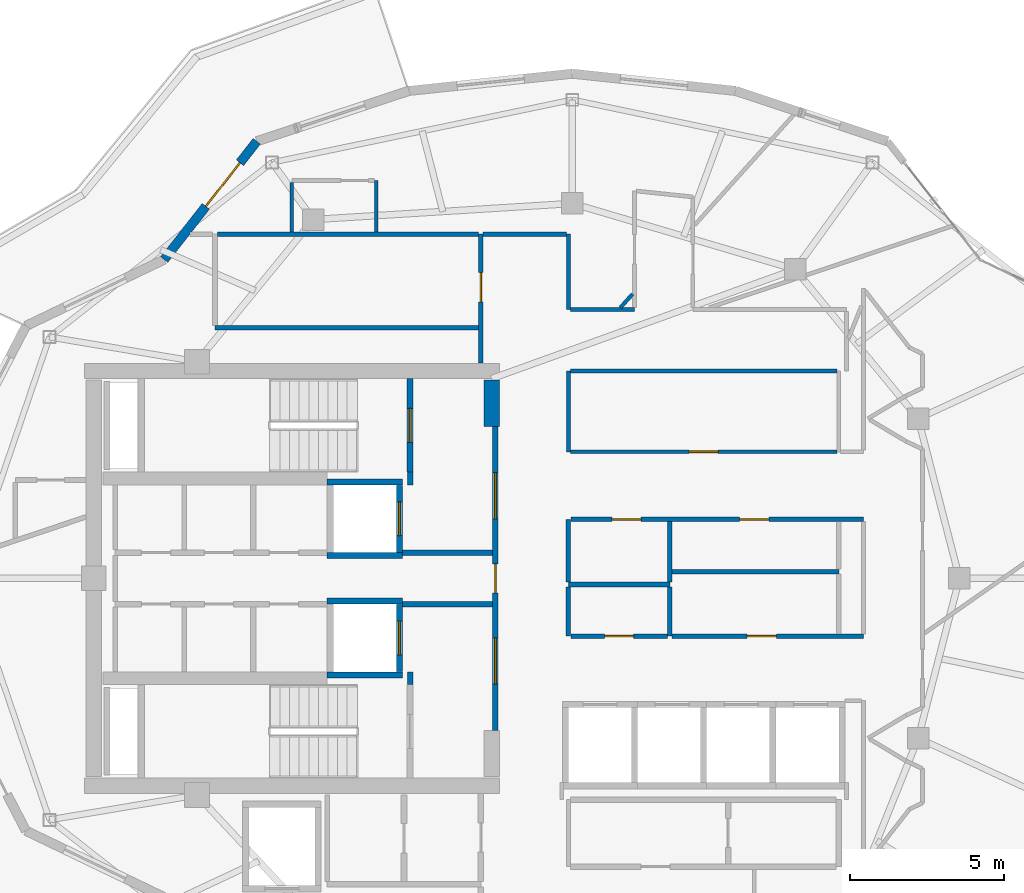
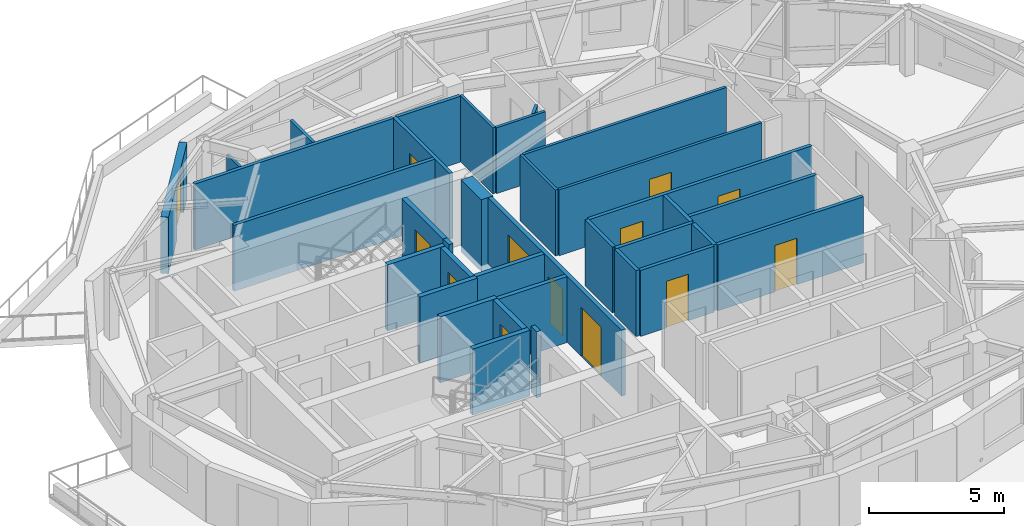
# One storey, part 9 of 15: 35 walls, 13 doors, 13 openings.
"""IFC4 building model written with IfcOpenShell, lengths in metres."""

from ifc_helpers import new_model, si_unit, direction, frame, frame_2d, origin, place, context, subcontext, project, spatial, rectangle, extrude, material, layer, layer_set, type_object, element, fill, save


model = new_model("IFC4")

# Units and contexts
model_context = context("Model", 3, precision=1e-05, world=origin(), true_north=direction((0.0, 1.0)))
body_context = subcontext(model_context, "Body", "Model", "MODEL_VIEW")
ifc_project = project(units=[si_unit("LENGTHUNIT", "METRE"), si_unit("AREAUNIT", "SQUARE_METRE"), si_unit("VOLUMEUNIT", "CUBIC_METRE"), si_unit("PLANEANGLEUNIT", "RADIAN"), si_unit("MASSUNIT", "GRAM", prefix="KILO")], contexts=[model_context])

# Site, building, storey
site_placement = place(None, origin())
site = spatial("IfcSite", under=ifc_project, at=site_placement, CompositionType="ELEMENT")
building_placement = place(site_placement, origin())
building = spatial("IfcBuilding", under=site, at=building_placement, Name="Kolvaren Gate Tower and Convention Centre", CompositionType="ELEMENT")
storey_placement = place(building_placement, frame((0.0, 0.0, 272.300048828125)))
storey = spatial("IfcBuildingStorey", under=building, at=storey_placement, Name="L74", CompositionType="ELEMENT", Elevation=272.300048828125)

# Walls
ifc_material_1 = material(Name="Autoclaved Aerated Masonry Blockwork Class 4 (4.0 MPa)", Category="masonry")
ifc_layer_1 = layer(ifc_material_1, 0.179931640625)
ifc_layer_set_1 = layer_set([ifc_layer_1], Name="Autoclaved Aerated Masonry Blockwork Class 4 (4.0 MPa)")
wall_type_1 = type_object("IfcWallType", Name="ARCH-WL-COMP-180", PredefinedType="SOLIDWALL", material=ifc_layer_set_1)
for number, where, z_axis, x_axis, name in (
    (1, (24.85009765625, 23.5400390625, 0.0), (0.0, 0.0, 1.0), (0.0, 1.0, 0.0), "Interior Partition WL-L74-INT-001"),
    (2, (24.85009765625, 30.0400390625, 0.0), (0.0, 0.0, 1.0), (0.0, 1.0, 0.0), "Interior Partition WL-L74-INT-002"),
):
    element("IfcWall", number, at=place(storey_placement, frame(where, z_axis=z_axis, x_axis=x_axis)), inside=storey, type_object=wall_type_1, Name=name, PredefinedType="SOLIDWALL", context=body_context, shape_type="SweptSolid", body=[
        extrude(rectangle(XDim=0.419921875, YDim=0.179931640625, at=frame_2d((0.2099609375, 0.0))), origin(), (0.0, 0.0, 1.0), 2.97998046875),
    ])

# Wall, openings, doors
wall_1_placement = place(storey_placement, frame((27.6201171875, 22.050048828125, 0.0), z_axis=(0.0, 0.0, 1.0), x_axis=(0.0, 1.0, 0.0)))
wall_1 = element("IfcWall", 3, at=wall_1_placement, inside=storey, type_object=wall_type_1, Name="Interior Partition WL-L74-INT-003", PredefinedType="SOLIDWALL", context=body_context, shape_type="SweptSolid", body=[
    extrude(rectangle(XDim=9.89990234375, YDim=0.179931640625, at=frame_2d((4.949951171875, 0.0))), origin(), (0.0, 0.0, 1.0), 2.97998046875),
])
opening_1_placement = place(wall_1_placement, frame((4.47509765625, 0.0, 0.0)))
opening_1 = element("IfcOpeningElement", 4, at=opening_1_placement, cuts=wall_1, Name="Opening DR-01", PredefinedType="OPENING", context=body_context, shape_type="SweptSolid", body=[
    extrude(rectangle(XDim=0.949951171875, YDim=2.10009765625, at=frame_2d((0.47509765625, 1.050048828125))), frame((0.0, 0.099853515625, 0.0), z_axis=(0.0, -1.0, 0.0), x_axis=(1.0, 0.0, 0.0)), (0.0, 0.0, 1.0), 0.199951171875),
])
opening_2_placement = place(wall_1_placement, frame((6.889892578125, 0.0, 0.0)))
opening_2 = element("IfcOpeningElement", 5, at=opening_2_placement, cuts=wall_1, Name="Opening DL-01", PredefinedType="OPENING", context=body_context, shape_type="SweptSolid", body=[
    extrude(rectangle(XDim=1.5, YDim=2.199951171875, at=frame_2d((0.75, 1.10009765625))), frame((0.0, 0.099853515625, 0.0), z_axis=(0.0, -1.0, 0.0), x_axis=(1.0, 0.0, 0.0)), (0.0, 0.0, 1.0), 0.199951171875),
])
opening_3_placement = place(wall_1_placement, frame((1.510009765625, 0.0, 0.0)))
opening_3 = element("IfcOpeningElement", 6, at=opening_3_placement, cuts=wall_1, Name="Opening DL-01", PredefinedType="OPENING", context=body_context, shape_type="SweptSolid", body=[
    extrude(rectangle(XDim=1.5, YDim=2.199951171875, at=frame_2d((0.75, 1.10009765625))), frame((0.0, 0.099853515625, 0.0), z_axis=(0.0, -1.0, 0.0), x_axis=(1.0, 0.0, 0.0)), (0.0, 0.0, 1.0), 0.199951171875),
])
ifc_material_2 = material(Name="Painted Architectural Steelwork ASTM A500 Grade C 345 MPa", Category="steel")
door_type_1 = type_object("IfcDoorType", Name="ARCH-DR-LOBBY-1500", OperationType="DOUBLE_DOOR_SINGLE_SWING", PredefinedType="DOOR", material=ifc_material_2)
door_1_placement = place(opening_2_placement, origin())
door_1 = element("IfcDoor", 7, at=door_1_placement, inside=storey, type_object=door_type_1, Name="North Firefighting Stair and Lift Lobby Door", OperationType="DOUBLE_DOOR_SINGLE_SWING", OverallHeight=2.199951171875, OverallWidth=1.5, PredefinedType="DOOR", context=body_context, shape_type="SweptSolid", body=[
    extrude(rectangle(XDim=1.5, YDim=2.199951171875, at=frame_2d((0.75, 1.10009765625))), frame((0.0, 0.02490234375, 0.0), z_axis=(0.0, -1.0, 0.0), x_axis=(1.0, 0.0, 0.0)), (0.0, 0.0, 1.0), 0.050048828125),
])
fill(opening_2, door_1)
door_2_placement = place(opening_3_placement, origin())
door_2 = element("IfcDoor", 8, at=door_2_placement, inside=storey, type_object=door_type_1, Name="South Firefighting Stair and Lift Lobby Door", OperationType="DOUBLE_DOOR_SINGLE_SWING", OverallHeight=2.199951171875, OverallWidth=1.5, PredefinedType="DOOR", context=body_context, shape_type="SweptSolid", body=[
    extrude(rectangle(XDim=1.5, YDim=2.199951171875, at=frame_2d((0.75, 1.10009765625))), frame((0.0, 0.02490234375, 0.0), z_axis=(0.0, -1.0, 0.0), x_axis=(1.0, 0.0, 0.0)), (0.0, 0.0, 1.0), 0.050048828125),
])
fill(opening_3, door_2)
door_type_2 = type_object("IfcDoorType", Name="ARCH-DR-RISER-950", OperationType="SINGLE_SWING_RIGHT", PredefinedType="DOOR", material=ifc_material_2)
door_3_placement = place(opening_1_placement, origin())
door_3 = element("IfcDoor", 9, at=door_3_placement, inside=storey, type_object=door_type_2, Name="Central MEP Service Corridor Door", OperationType="SINGLE_SWING_LEFT", OverallHeight=2.10009765625, OverallWidth=0.949951171875, PredefinedType="DOOR", context=body_context, shape_type="SweptSolid", body=[
    extrude(rectangle(XDim=0.949951171875, YDim=2.10009765625, at=frame_2d((0.47509765625, 1.050048828125))), frame((0.0, 0.02490234375, 0.0), z_axis=(0.0, -1.0, 0.0), x_axis=(1.0, 0.0, 0.0)), (0.0, 0.0, 1.0), 0.050048828125),
])
fill(opening_1, door_3)

# Walls
for number, where, z_axis, x_axis, name in (
    (10, (24.60009765625, 27.840087890625, 0.0), (0.0, 0.0, 1.0), (1.0, 0.0, 0.0), "Interior Partition WL-L74-INT-004 (2)"),
    (11, (24.60009765625, 26.159912109375, 0.0), (0.0, 0.0, 1.0), (1.0, 0.0, 0.0), "Interior Partition WL-L74-INT-005 (2)"),
):
    element("IfcWall", number, at=place(storey_placement, frame(where, z_axis=z_axis, x_axis=x_axis)), inside=storey, type_object=wall_type_1, Name=name, PredefinedType="SOLIDWALL", context=body_context, shape_type="SweptSolid", body=[
        extrude(rectangle(XDim=2.927978515625, YDim=0.179931640625, at=frame_2d((1.4638671875, 0.0))), origin(), (0.0, 0.0, 1.0), 2.97998046875),
    ])
ifc_material_3 = material(Name="Fire-Rated Acoustic Gypsum Stud Partition", Category="gypsum")
ifc_layer_2 = layer(ifc_material_3, 0.1201171875)
ifc_layer_set_2 = layer_set([ifc_layer_2], Name="Fire-Rated Acoustic Gypsum Stud Partition")
wall_type_2 = type_object("IfcWallType", Name="ARCH-WL-PART-120", PredefinedType="PARTITIONING", material=ifc_layer_set_2)
wall_2_placement = place(storey_placement, frame((30.0, 31.1201171875, 0.0), z_axis=(0.0, 0.0, 1.0), x_axis=(0.0, 1.0, 0.0)))
element("IfcWall", 12, at=wall_2_placement, inside=storey, type_object=wall_type_2, Name="Interior Partition WL-L74-INT-020", PredefinedType="PARTITIONING", context=body_context, shape_type="SweptSolid", body=[
    extrude(rectangle(XDim=2.6298828125, YDim=0.1201171875, at=frame_2d((1.31494140625, 0.0))), origin(), (0.0, 0.0, 1.0), 2.97998046875),
])
wall_3_placement = place(storey_placement, frame((30.0, 35.75, 0.0), z_axis=(0.0, 0.0, 1.0), x_axis=(0.0, 1.0, 0.0)))
element("IfcWall", 13, at=wall_3_placement, inside=storey, type_object=wall_type_2, Name="Interior Partition WL-L74-INT-021", PredefinedType="PARTITIONING", context=body_context, shape_type="SweptSolid", body=[
    extrude(rectangle(XDim=2.449951171875, YDim=0.1201171875, at=frame_2d((1.22509765625, 0.0))), origin(), (0.0, 0.0, 1.0), 2.97998046875),
])

# Wall, opening, door
wall_4_placement = place(storey_placement, frame((30.06201171875, 31.1201171875, 0.0), z_axis=(0.0, 0.0, 1.0), x_axis=(1.0, 0.0, 0.0)))
wall_4 = element("IfcWall", 14, at=wall_4_placement, inside=storey, type_object=wall_type_2, Name="Interior Partition WL-L74-INT-029", PredefinedType="PARTITIONING", context=body_context, shape_type="SweptSolid", body=[
    extrude(rectangle(XDim=8.676025390625, YDim=0.1201171875, at=frame_2d((4.337890625, 0.0))), origin(), (0.0, 0.0, 1.0), 2.97998046875),
])
opening_4_placement = place(wall_4_placement, frame((3.863037109375, 0.0, 0.0)))
opening_4 = element("IfcOpeningElement", 15, at=opening_4_placement, cuts=wall_4, Name="Opening DR-01", PredefinedType="OPENING", context=body_context, shape_type="SweptSolid", body=[
    extrude(rectangle(XDim=0.949951171875, YDim=2.10009765625, at=frame_2d((0.47509765625, 1.050048828125))), frame((0.0, 0.070068359375, 0.0), z_axis=(0.0, -1.0, 0.0), x_axis=(1.0, 0.0, 0.0)), (0.0, 0.0, 1.0), 0.14013671875),
])
door_4_placement = place(opening_4_placement, origin())
door_4 = element("IfcDoor", 16, at=door_4_placement, inside=storey, type_object=door_type_2, Name="Botanical Reading Clubroom Door", OperationType="SINGLE_SWING_LEFT", OverallHeight=2.10009765625, OverallWidth=0.949951171875, PredefinedType="DOOR", context=body_context, shape_type="SweptSolid", body=[
    extrude(rectangle(XDim=0.949951171875, YDim=2.10009765625, at=frame_2d((0.47509765625, 1.050048828125))), frame((0.0, 0.02490234375, 0.0), z_axis=(0.0, -1.0, 0.0), x_axis=(1.0, 0.0, 0.0)), (0.0, 0.0, 1.0), 0.050048828125),
])
fill(opening_4, door_4)

# Walls
wall_5_placement = place(storey_placement, frame((30.06201171875, 33.75, 0.0), z_axis=(0.0, 0.0, 1.0), x_axis=(1.0, 0.0, 0.0)))
element("IfcWall", 17, at=wall_5_placement, inside=storey, type_object=wall_type_2, Name="Interior Partition WL-L74-INT-030", PredefinedType="PARTITIONING", context=body_context, shape_type="SweptSolid", body=[
    extrude(rectangle(XDim=8.676025390625, YDim=0.1201171875, at=frame_2d((4.337890625, 0.0))), origin(), (0.0, 0.0, 1.0), 2.97998046875),
])
wall_6_placement = place(storey_placement, frame((30.06201171875, 35.75, 0.0), z_axis=(0.0, 0.0, 1.0), x_axis=(1.0, 0.0, 0.0)))
element("IfcWall", 18, at=wall_6_placement, inside=storey, type_object=wall_type_2, Name="Interior Partition WL-L74-INT-037", PredefinedType="PARTITIONING", context=body_context, shape_type="SweptSolid", body=[
    extrude(rectangle(XDim=2.087890625, YDim=0.1201171875, at=frame_2d((1.0439453125, 0.0))), origin(), (0.0, 0.0, 1.0), 2.97998046875),
])
wall_7_placement = place(storey_placement, frame((31.69140625, 35.81201171875, 0.0), z_axis=(0.0, 0.0, 1.0), x_axis=(0.668646206607, 0.743580695278, 0.0)))
element("IfcWall", 19, at=wall_7_placement, inside=storey, type_object=wall_type_2, Name="Interior Partition WL-L74-INT-081", PredefinedType="PARTITIONING", context=body_context, shape_type="SweptSolid", body=[
    extrude(rectangle(XDim=0.593017578125, YDim=0.1201171875, at=frame_2d((0.29638671875, 0.0))), origin(), (0.0, 0.0, 1.0), 2.97998046875),
])
wall_8_placement = place(storey_placement, frame((23.75, 38.277099609375, 0.0), z_axis=(0.0, 0.0, 1.0), x_axis=(0.0, 1.0, 0.0)))
element("IfcWall", 20, at=wall_8_placement, inside=storey, type_object=wall_type_2, Name="Interior Partition WL-L74-INT-083", PredefinedType="PARTITIONING", context=body_context, shape_type="SweptSolid", body=[
    extrude(rectangle(XDim=1.6728515625, YDim=0.1201171875, at=frame_2d((0.83642578125, 0.0))), origin(), (0.0, 0.0, 1.0), 2.97998046875),
])
wall_9_placement = place(storey_placement, frame((21.0, 38.277099609375, 0.0), z_axis=(0.0, 0.0, 1.0), x_axis=(0.0, 1.0, 0.0)))
element("IfcWall", 21, at=wall_9_placement, inside=storey, type_object=wall_type_2, Name="Interior Partition WL-L74-INT-085", PredefinedType="PARTITIONING", context=body_context, shape_type="SweptSolid", body=[
    extrude(rectangle(XDim=1.61083984375, YDim=0.1201171875, at=frame_2d((0.805419921875, 0.0))), origin(), (0.0, 0.0, 1.0), 2.427978515625),
])
ifc_layer_3 = layer(ifc_material_1, 0.199951171875)
ifc_layer_set_3 = layer_set([ifc_layer_3], Name="Autoclaved Aerated Masonry Blockwork Class 4 (4.0 MPa)")
wall_type_3 = type_object("IfcWallType", Name="ARCH-WL-SHAFT-200", PredefinedType="SOLIDWALL", material=ifc_layer_set_3)
for number, where, z_axis, x_axis, name in (
    (22, (22.14990234375, 30.139892578125, 0.0), (0.0, 0.0, 1.0), (1.0, 0.0, 0.0), "Elevator FF-01 L74 Fire Shaft Wall N"),
    (23, (22.14990234375, 27.739990234375, 0.0), (0.0, 0.0, 1.0), (1.0, 0.0, 0.0), "Elevator FF-01 L74 Fire Shaft Wall S"),
):
    element("IfcWall", number, at=place(storey_placement, frame(where, z_axis=z_axis, x_axis=x_axis)), inside=storey, type_object=wall_type_3, Name=name, PredefinedType="SOLIDWALL", context=body_context, shape_type="SweptSolid", body=[
        extrude(rectangle(XDim=2.4501953125, YDim=0.199951171875, at=frame_2d((1.22509765625, 0.0))), origin(), (0.0, 0.0, 1.0), 2.97998046875),
    ])

# Wall, opening, door
wall_10_placement = place(storey_placement, frame((24.5, 27.85009765625, 0.0), z_axis=(0.0, 0.0, 1.0), x_axis=(0.0, 1.0, 0.0)))
wall_10 = element("IfcWall", 24, at=wall_10_placement, inside=storey, type_object=wall_type_3, Name="Elevator FF-01 L74 Fire Shaft Wall E", PredefinedType="SOLIDWALL", context=body_context, shape_type="SweptSolid", body=[
    extrude(rectangle(XDim=2.179931640625, YDim=0.199951171875, at=frame_2d((1.08984375, 0.0))), origin(), (0.0, 0.0, 1.0), 2.97998046875),
])
opening_5_placement = place(wall_10_placement, frame((0.5400390625, 0.0, 0.0)))
opening_5 = element("IfcOpeningElement", 25, at=opening_5_placement, cuts=wall_10, Name="Opening LD", PredefinedType="OPENING", context=body_context, shape_type="SweptSolid", body=[
    extrude(rectangle(XDim=1.10009765625, YDim=2.199951171875, at=frame_2d((0.550048828125, 1.10009765625))), frame((0.0, 0.10986328125, 0.0), z_axis=(0.0, -1.0, 0.0), x_axis=(1.0, 0.0, 0.0)), (0.0, 0.0, 1.0), 0.219970703125),
])
ifc_material_4 = material(Name="Brushed Stainless Steel Grade 316L", Category="steel")
door_type_3 = type_object("IfcDoorType", Name="ARCH-DR-LIFT-1100", OperationType="SLIDING_TO_LEFT", PredefinedType="DOOR", material=ifc_material_4)
door_5_placement = place(opening_5_placement, origin())
door_5 = element("IfcDoor", 26, at=door_5_placement, inside=storey, type_object=door_type_3, Name="Elevator FF-01 L74 Sliding Landing Door", OperationType="SLIDING_TO_LEFT", OverallHeight=2.199951171875, OverallWidth=1.10009765625, PredefinedType="DOOR", context=body_context, shape_type="SweptSolid", body=[
    extrude(rectangle(XDim=1.10009765625, YDim=2.199951171875, at=frame_2d((0.550048828125, 1.10009765625))), frame((0.0, 0.02490234375, 0.0), z_axis=(0.0, -1.0, 0.0), x_axis=(1.0, 0.0, 0.0)), (0.0, 0.0, 1.0), 0.050048828125),
])
fill(opening_5, door_5)

# Walls
for number, where, z_axis, x_axis, name in (
    (27, (22.14990234375, 26.260009765625, 0.0), (0.0, 0.0, 1.0), (1.0, 0.0, 0.0), "Elevator FF-02 L74 Fire Shaft Wall N"),
    (28, (22.14990234375, 23.860107421875, 0.0), (0.0, 0.0, 1.0), (1.0, 0.0, 0.0), "Elevator FF-02 L74 Fire Shaft Wall S"),
):
    element("IfcWall", number, at=place(storey_placement, frame(where, z_axis=z_axis, x_axis=x_axis)), inside=storey, type_object=wall_type_3, Name=name, PredefinedType="SOLIDWALL", context=body_context, shape_type="SweptSolid", body=[
        extrude(rectangle(XDim=2.4501953125, YDim=0.199951171875, at=frame_2d((1.22509765625, 0.0))), origin(), (0.0, 0.0, 1.0), 2.97998046875),
    ])

# Wall, opening, door
wall_11_placement = place(storey_placement, frame((24.5, 23.969970703125, 0.0), z_axis=(0.0, 0.0, 1.0), x_axis=(0.0, 1.0, 0.0)))
wall_11 = element("IfcWall", 29, at=wall_11_placement, inside=storey, type_object=wall_type_3, Name="Elevator FF-02 L74 Fire Shaft Wall E", PredefinedType="SOLIDWALL", context=body_context, shape_type="SweptSolid", body=[
    extrude(rectangle(XDim=2.179931640625, YDim=0.199951171875, at=frame_2d((1.08984375, 0.0))), origin(), (0.0, 0.0, 1.0), 2.97998046875),
])
opening_6_placement = place(wall_11_placement, frame((0.5400390625, 0.0, 0.0)))
opening_6 = element("IfcOpeningElement", 30, at=opening_6_placement, cuts=wall_11, Name="Opening LD", PredefinedType="OPENING", context=body_context, shape_type="SweptSolid", body=[
    extrude(rectangle(XDim=1.10009765625, YDim=2.199951171875, at=frame_2d((0.550048828125, 1.10009765625))), frame((0.0, 0.10986328125, 0.0), z_axis=(0.0, -1.0, 0.0), x_axis=(1.0, 0.0, 0.0)), (0.0, 0.0, 1.0), 0.219970703125),
])
door_6_placement = place(opening_6_placement, origin())
door_6 = element("IfcDoor", 31, at=door_6_placement, inside=storey, type_object=door_type_3, Name="Elevator FF-02 L74 Sliding Landing Door", OperationType="SLIDING_TO_LEFT", OverallHeight=2.199951171875, OverallWidth=1.10009765625, PredefinedType="DOOR", context=body_context, shape_type="SweptSolid", body=[
    extrude(rectangle(XDim=1.10009765625, YDim=2.199951171875, at=frame_2d((0.550048828125, 1.10009765625))), frame((0.0, 0.02490234375, 0.0), z_axis=(0.0, -1.0, 0.0), x_axis=(1.0, 0.0, 0.0)), (0.0, 0.0, 1.0), 0.050048828125),
])
fill(opening_6, door_6)

ifc_material_5 = material(Name="Piedmont Cream Honed Limestone Cladding", Category="masonry")
ifc_layer_4 = layer(ifc_material_5, 0.300048828125)
ifc_layer_set_4 = layer_set([ifc_layer_4], Name="Piedmont Cream Honed Limestone Cladding")
wall_type_4 = type_object("IfcWallType", Name="ARCH-WL-STONE-300", PredefinedType="SOLIDWALL", material=ifc_layer_set_4)
wall_12_placement = place(storey_placement, frame((16.84619140625, 37.37548828125, 0.0), z_axis=(0.0, 0.0, 1.0), x_axis=(0.616413297421, 0.78742278781, 0.0)))
wall_12 = element("IfcWall", 32, at=wall_12_placement, inside=storey, type_object=wall_type_4, Name="Tower L74 Honed Stone Spandrel Wall EW-08", PredefinedType="SOLIDWALL", context=body_context, shape_type="SweptSolid", body=[
    extrude(rectangle(XDim=4.88818359375, YDim=0.300048828125, at=frame_2d((2.444091796875, 0.0))), origin(), (0.0, 0.0, 1.0), 2.554931640625),
])
opening_7_placement = place(wall_12_placement, frame((2.199951171875, 0.0, 0.0)))
opening_7 = element("IfcOpeningElement", 33, at=opening_7_placement, cuts=wall_12, Name="Opening DB-01", PredefinedType="OPENING", context=body_context, shape_type="SweptSolid", body=[
    extrude(rectangle(XDim=1.800048828125, YDim=2.25, at=frame_2d((0.89990234375, 1.125))), frame((0.0, 0.159912109375, 0.0), z_axis=(0.0, -1.0, 0.0), x_axis=(1.0, 0.0, 0.0)), (0.0, 0.0, 1.0), 0.320068359375),
])
ifc_material_6 = material(Name="Anodized Architectural Aluminium Alloy 6063-T6", Category="aluminium")
door_type_4 = type_object("IfcDoorType", Name="ARCH-DR-BALC-1800", OperationType="SLIDING_TO_LEFT", PredefinedType="DOOR", material=ifc_material_6)
door_7_placement = place(opening_7_placement, origin())
door_7 = element("IfcDoor", 34, at=door_7_placement, inside=storey, type_object=door_type_4, Name="Planted Sky Terrace Access Door DB-L74-08", OperationType="SLIDING_TO_LEFT", OverallHeight=2.25, OverallWidth=1.800048828125, PredefinedType="DOOR", context=body_context, shape_type="SweptSolid", body=[
    extrude(rectangle(XDim=1.800048828125, YDim=2.25, at=frame_2d((0.89990234375, 1.125))), frame((0.0, 0.02490234375, 0.0), z_axis=(0.0, -1.0, 0.0), x_axis=(1.0, 0.0, 0.0)), (0.0, 0.0, 1.0), 0.050048828125),
])
fill(opening_7, door_7)

ifc_material_7 = material(Name="Moisture-Resistant Cement-Board Acoustic Partition", Category="gypsum")
ifc_layer_5 = layer(ifc_material_7, 0.14990234375)
ifc_layer_set_5 = layer_set([ifc_layer_5], Name="Moisture-Resistant Cement-Board Acoustic Partition")
wall_type_5 = type_object("IfcWallType", Name="ARCH-WL-WET-150", PredefinedType="PARTITIONING", material=ifc_layer_set_5)
wall_13_placement = place(storey_placement, frame((27.14990234375, 34.001953125, 0.0), z_axis=(0.0, 0.0, 1.0), x_axis=(0.0, 1.0, 0.0)))
wall_13 = element("IfcWall", 35, at=wall_13_placement, inside=storey, type_object=wall_type_5, Name="Interior Partition WL-L74-INT-016", PredefinedType="PARTITIONING", context=body_context, shape_type="SweptSolid", body=[
    extrude(rectangle(XDim=4.197998046875, YDim=0.14990234375, at=frame_2d((2.09912109375, 0.0))), origin(), (0.0, 0.0, 1.0), 2.97998046875),
])
opening_8_placement = place(wall_13_placement, frame((1.998046875, 0.0, 0.0)))
opening_8 = element("IfcOpeningElement", 36, at=opening_8_placement, cuts=wall_13, Name="Opening DR-01", PredefinedType="OPENING", context=body_context, shape_type="SweptSolid", body=[
    extrude(rectangle(XDim=0.949951171875, YDim=2.10009765625, at=frame_2d((0.47509765625, 1.050048828125))), frame((0.0, 0.0849609375, 0.0), z_axis=(0.0, -1.0, 0.0), x_axis=(1.0, 0.0, 0.0)), (0.0, 0.0, 1.0), 0.169921875),
])
door_8_placement = place(opening_8_placement, origin())
door_8 = element("IfcDoor", 37, at=door_8_placement, inside=storey, type_object=door_type_2, Name="Reclaimed North Resident Store Door", OperationType="SINGLE_SWING_LEFT", OverallHeight=2.10009765625, OverallWidth=0.949951171875, PredefinedType="DOOR", context=body_context, shape_type="SweptSolid", body=[
    extrude(rectangle(XDim=0.949951171875, YDim=2.10009765625, at=frame_2d((0.47509765625, 1.050048828125))), frame((0.0, 0.02490234375, 0.0), z_axis=(0.0, -1.0, 0.0), x_axis=(1.0, 0.0, 0.0)), (0.0, 0.0, 1.0), 0.050048828125),
])
fill(opening_8, door_8)

# Walls
wall_14_placement = place(storey_placement, frame((30.0, 26.800048828125, 0.0), z_axis=(0.0, 0.0, 1.0), x_axis=(1.0, 0.0, 0.0)))
element("IfcWall", 38, at=wall_14_placement, inside=storey, type_object=wall_type_5, Name="Interior Partition WL-L74-INT-017", PredefinedType="PARTITIONING", context=body_context, shape_type="SweptSolid", body=[
    extrude(rectangle(XDim=3.300048828125, YDim=0.14990234375, at=frame_2d((1.64990234375, 0.0))), origin(), (0.0, 0.0, 1.0), 2.97998046875),
])
wall_15_placement = place(storey_placement, frame((30.0, 25.1201171875, 0.0), z_axis=(0.0, 0.0, 1.0), x_axis=(0.0, 1.0, 0.0)))
element("IfcWall", 39, at=wall_15_placement, inside=storey, type_object=wall_type_5, Name="Interior Partition WL-L74-INT-019", PredefinedType="PARTITIONING", context=body_context, shape_type="SweptSolid", body=[
    extrude(rectangle(XDim=1.602783203125, YDim=0.14990234375, at=frame_2d((0.80126953125, 0.0))), origin(), (0.0, 0.0, 1.0), 2.97998046875),
])
wall_16_placement = place(storey_placement, frame((30.0, 26.876953125, 0.0), z_axis=(0.0, 0.0, 1.0), x_axis=(0.0, 1.0, 0.0)))
element("IfcWall", 40, at=wall_16_placement, inside=storey, type_object=wall_type_5, Name="Interior Partition WL-L74-INT-019 (2)", PredefinedType="PARTITIONING", context=body_context, shape_type="SweptSolid", body=[
    extrude(rectangle(XDim=2.04296875, YDim=0.14990234375, at=frame_2d((1.021484375, 0.0))), origin(), (0.0, 0.0, 1.0), 2.97998046875),
])

# Wall, openings, doors
wall_17_placement = place(storey_placement, frame((30.076904296875, 28.919921875, 0.0), z_axis=(0.0, 0.0, 1.0), x_axis=(1.0, 0.0, 0.0)))
wall_17 = element("IfcWall", 41, at=wall_17_placement, inside=storey, type_object=wall_type_5, Name="Interior Partition WL-L74-INT-022", PredefinedType="PARTITIONING", context=body_context, shape_type="SweptSolid", body=[
    extrude(rectangle(XDim=9.523193359375, YDim=0.14990234375, at=frame_2d((4.76171875, 0.0))), origin(), (0.0, 0.0, 1.0), 2.97998046875),
])
opening_9_placement = place(wall_17_placement, frame((1.341552734375, 0.0, 0.0)))
opening_9 = element("IfcOpeningElement", 42, at=opening_9_placement, cuts=wall_17, Name="Opening DR-01", PredefinedType="OPENING", context=body_context, shape_type="SweptSolid", body=[
    extrude(rectangle(XDim=0.949951171875, YDim=2.10009765625, at=frame_2d((0.47509765625, 1.050048828125))), frame((0.0, 0.0849609375, 0.0), z_axis=(0.0, -1.0, 0.0), x_axis=(1.0, 0.0, 0.0)), (0.0, 0.0, 1.0), 0.169921875),
])
opening_10_placement = place(wall_17_placement, frame((5.498046875, 0.0, 0.0)))
opening_10 = element("IfcOpeningElement", 43, at=opening_10_placement, cuts=wall_17, Name="Opening DR-01", PredefinedType="OPENING", context=body_context, shape_type="SweptSolid", body=[
    extrude(rectangle(XDim=0.949951171875, YDim=2.10009765625, at=frame_2d((0.47509765625, 1.050048828125))), frame((0.0, 0.0849609375, 0.0), z_axis=(0.0, -1.0, 0.0), x_axis=(1.0, 0.0, 0.0)), (0.0, 0.0, 1.0), 0.169921875),
])
door_9_placement = place(opening_9_placement, origin())
door_9 = element("IfcDoor", 44, at=door_9_placement, inside=storey, type_object=door_type_2, Name="Accessible North Washroom Door", OperationType="SINGLE_SWING_LEFT", OverallHeight=2.10009765625, OverallWidth=0.949951171875, PredefinedType="DOOR", context=body_context, shape_type="SweptSolid", body=[
    extrude(rectangle(XDim=0.949951171875, YDim=2.10009765625, at=frame_2d((0.47509765625, 1.050048828125))), frame((0.0, 0.02490234375, 0.0), z_axis=(0.0, -1.0, 0.0), x_axis=(1.0, 0.0, 0.0)), (0.0, 0.0, 1.0), 0.050048828125),
])
fill(opening_9, door_9)
door_10_placement = place(opening_10_placement, origin())
door_10 = element("IfcDoor", 45, at=door_10_placement, inside=storey, type_object=door_type_2, Name="Floor Janitor and Supply Store Door", OperationType="SINGLE_SWING_LEFT", OverallHeight=2.10009765625, OverallWidth=0.949951171875, PredefinedType="DOOR", context=body_context, shape_type="SweptSolid", body=[
    extrude(rectangle(XDim=0.949951171875, YDim=2.10009765625, at=frame_2d((0.47509765625, 1.050048828125))), frame((0.0, 0.02490234375, 0.0), z_axis=(0.0, -1.0, 0.0), x_axis=(1.0, 0.0, 0.0)), (0.0, 0.0, 1.0), 0.050048828125),
])
fill(opening_10, door_10)

# Walls
wall_18_placement = place(storey_placement, frame((33.300048828125, 25.1201171875, 0.0), z_axis=(0.0, 0.0, 1.0), x_axis=(0.0, 1.0, 0.0)))
element("IfcWall", 46, at=wall_18_placement, inside=storey, type_object=wall_type_5, Name="Interior Partition WL-L74-INT-023", PredefinedType="PARTITIONING", context=body_context, shape_type="SweptSolid", body=[
    extrude(rectangle(XDim=1.602783203125, YDim=0.14990234375, at=frame_2d((0.80126953125, 0.0))), origin(), (0.0, 0.0, 1.0), 2.97998046875),
])
wall_19_placement = place(storey_placement, frame((33.300048828125, 26.876953125, 0.0), z_axis=(0.0, 0.0, 1.0), x_axis=(0.0, 1.0, 0.0)))
element("IfcWall", 47, at=wall_19_placement, inside=storey, type_object=wall_type_5, Name="Interior Partition WL-L74-INT-023 (2)", PredefinedType="PARTITIONING", context=body_context, shape_type="SweptSolid", body=[
    extrude(rectangle(XDim=1.966064453125, YDim=0.14990234375, at=frame_2d((0.98291015625, 0.0))), origin(), (0.0, 0.0, 1.0), 2.97998046875),
])

# Wall, opening, door
wall_20_placement = place(storey_placement, frame((30.076904296875, 25.1201171875, 0.0), z_axis=(0.0, 0.0, 1.0), x_axis=(1.0, 0.0, 0.0)))
wall_20 = element("IfcWall", 48, at=wall_20_placement, inside=storey, type_object=wall_type_5, Name="Interior Partition WL-L74-INT-024", PredefinedType="PARTITIONING", context=body_context, shape_type="SweptSolid", body=[
    extrude(rectangle(XDim=3.14599609375, YDim=0.14990234375, at=frame_2d((1.572998046875, 0.0))), origin(), (0.0, 0.0, 1.0), 2.97998046875),
])
opening_11_placement = place(wall_20_placement, frame((1.097900390625, 0.0, 0.0)))
opening_11 = element("IfcOpeningElement", 49, at=opening_11_placement, cuts=wall_20, Name="Opening DR-01", PredefinedType="OPENING", context=body_context, shape_type="SweptSolid", body=[
    extrude(rectangle(XDim=0.949951171875, YDim=2.10009765625, at=frame_2d((0.47509765625, 1.050048828125))), frame((0.0, 0.0849609375, 0.0), z_axis=(0.0, -1.0, 0.0), x_axis=(1.0, 0.0, 0.0)), (0.0, 0.0, 1.0), 0.169921875),
])
door_11_placement = place(opening_11_placement, origin())
door_11 = element("IfcDoor", 50, at=door_11_placement, inside=storey, type_object=door_type_2, Name="South Visitor Washroom Door", OperationType="SINGLE_SWING_RIGHT", OverallHeight=2.10009765625, OverallWidth=0.949951171875, PredefinedType="DOOR", context=body_context, shape_type="SweptSolid", body=[
    extrude(rectangle(XDim=0.949951171875, YDim=2.10009765625, at=frame_2d((0.47509765625, 1.050048828125))), frame((0.0, 0.02490234375, 0.0), z_axis=(0.0, -1.0, 0.0), x_axis=(1.0, 0.0, 0.0)), (0.0, 0.0, 1.0), 0.050048828125),
])
fill(opening_11, door_11)

wall_21_placement = place(storey_placement, frame((33.376953125, 25.1201171875, 0.0), z_axis=(0.0, 0.0, 1.0), x_axis=(1.0, 0.0, 0.0)))
wall_21 = element("IfcWall", 51, at=wall_21_placement, inside=storey, type_object=wall_type_5, Name="Interior Partition WL-L74-INT-024 (2)", PredefinedType="PARTITIONING", context=body_context, shape_type="SweptSolid", body=[
    extrude(rectangle(XDim=6.22314453125, YDim=0.14990234375, at=frame_2d((3.111572265625, 0.0))), origin(), (0.0, 0.0, 1.0), 2.97998046875),
])
opening_12_placement = place(wall_21_placement, frame((2.44140625, 0.0, 0.0)))
opening_12 = element("IfcOpeningElement", 52, at=opening_12_placement, cuts=wall_21, Name="Opening DR-01", PredefinedType="OPENING", context=body_context, shape_type="SweptSolid", body=[
    extrude(rectangle(XDim=0.949951171875, YDim=2.10009765625, at=frame_2d((0.47509765625, 1.050048828125))), frame((0.0, 0.0849609375, 0.0), z_axis=(0.0, -1.0, 0.0), x_axis=(1.0, 0.0, 0.0)), (0.0, 0.0, 1.0), 0.169921875),
])
door_12_placement = place(opening_12_placement, origin())
door_12 = element("IfcDoor", 53, at=door_12_placement, inside=storey, type_object=door_type_2, Name="Floor Coffee Pantry Door", OperationType="SINGLE_SWING_RIGHT", OverallHeight=2.10009765625, OverallWidth=0.949951171875, PredefinedType="DOOR", context=body_context, shape_type="SweptSolid", body=[
    extrude(rectangle(XDim=0.949951171875, YDim=2.10009765625, at=frame_2d((0.47509765625, 1.050048828125))), frame((0.0, 0.02490234375, 0.0), z_axis=(0.0, -1.0, 0.0), x_axis=(1.0, 0.0, 0.0)), (0.0, 0.0, 1.0), 0.050048828125),
])
fill(opening_12, door_12)

# Walls
wall_22_placement = place(storey_placement, frame((33.376953125, 27.219970703125, 0.0), z_axis=(0.0, 0.0, 1.0), x_axis=(1.0, 0.0, 0.0)))
element("IfcWall", 54, at=wall_22_placement, inside=storey, type_object=wall_type_5, Name="Interior Partition WL-L74-INT-025", PredefinedType="PARTITIONING", context=body_context, shape_type="SweptSolid", body=[
    extrude(rectangle(XDim=5.423095703125, YDim=0.14990234375, at=frame_2d((2.71142578125, 0.0))), origin(), (0.0, 0.0, 1.0), 2.97998046875),
])
wall_23_placement = place(storey_placement, frame((18.5, 35.159912109375, 0.0), z_axis=(0.0, 0.0, 1.0), x_axis=(1.0, 0.0, 0.0)))
element("IfcWall", 55, at=wall_23_placement, inside=storey, type_object=wall_type_5, Name="Interior Partition WL-L74-INT-034", PredefinedType="PARTITIONING", context=body_context, shape_type="SweptSolid", body=[
    extrude(rectangle(XDim=8.572998046875, YDim=0.14990234375, at=frame_2d((4.28662109375, 0.0))), origin(), (0.0, 0.0, 1.0), 2.97998046875),
])
wall_24_placement = place(storey_placement, frame((18.576904296875, 38.199951171875, 0.0), z_axis=(0.0, 0.0, 1.0), x_axis=(1.0, 0.0, 0.0)))
element("IfcWall", 56, at=wall_24_placement, inside=storey, type_object=wall_type_5, Name="Interior Partition WL-L74-INT-036 (2)", PredefinedType="PARTITIONING", context=body_context, shape_type="SweptSolid", body=[
    extrude(rectangle(XDim=8.49609375, YDim=0.14990234375, at=frame_2d((4.248046875, 0.0))), origin(), (0.0, 0.0, 1.0), 2.97998046875),
])
wall_25_placement = place(storey_placement, frame((27.22705078125, 38.199951171875, 0.0), z_axis=(0.0, 0.0, 1.0), x_axis=(1.0, 0.0, 0.0)))
element("IfcWall", 57, at=wall_25_placement, inside=storey, type_object=wall_type_5, Name="Interior Partition WL-L74-INT-036 (3)", PredefinedType="PARTITIONING", context=body_context, shape_type="SweptSolid", body=[
    extrude(rectangle(XDim=2.7109375, YDim=0.14990234375, at=frame_2d((1.35546875, 0.0))), origin(), (0.0, 0.0, 1.0), 2.97998046875),
])
ifc_material_8 = material(Name="Concrete C50/60", Category="concrete")
ifc_layer_6 = layer(ifc_material_8, 0.5)
ifc_layer_set_6 = layer_set([ifc_layer_6], Name="Concrete C50/60")
wall_type_6 = type_object("IfcWallType", Name="STR-WL-CORE-500", PredefinedType="SHEAR", material=ifc_layer_set_6)
wall_26_placement = place(storey_placement, frame((27.5, 31.949951171875, -0.27001953125), z_axis=(0.0, 0.0, 1.0), x_axis=(0.0, 1.0, 0.0)))
element("IfcWall", 58, at=wall_26_placement, inside=storey, type_object=wall_type_6, Name="Tower L74 Offset Core Shear Wall EN", PredefinedType="SHEAR", context=body_context, shape_type="SweptSolid", body=[
    extrude(rectangle(XDim=1.5, YDim=0.5, at=frame_2d((0.75, 0.0))), origin(), (0.0, 0.0, 1.0), 3.25),
])

# Wall, opening, door
ifc_layer_7 = layer(ifc_material_8, 0.199951171875)
ifc_layer_set_7 = layer_set([ifc_layer_7], Name="Concrete C50/60")
wall_type_7 = type_object("IfcWallType", Name="STR-WL-SHAFT-200", PredefinedType="SHEAR", material=ifc_layer_set_7)
wall_27_placement = place(storey_placement, frame((24.85009765625, 30.4599609375, -0.27001953125), z_axis=(0.0, 0.0, 1.0), x_axis=(0.0, 1.0, 0.0)))
wall_27 = element("IfcWall", 59, at=wall_27_placement, inside=storey, type_object=wall_type_7, Name="Tower North Exit Stair ST-T1 L74 Structural Shear Enclosure Wall NEAR", PredefinedType="SHEAR", context=body_context, shape_type="SweptSolid", body=[
    extrude(rectangle(XDim=3.0380859375, YDim=0.199951171875, at=frame_2d((1.51904296875, 0.0))), origin(), (0.0, 0.0, 1.0), 3.25),
])
opening_13_placement = place(wall_27_placement, frame((0.968994140625, 0.0, 0.27001953125)))
opening_13 = element("IfcOpeningElement", 60, at=opening_13_placement, cuts=wall_27, Name="Opening DS-01", PredefinedType="OPENING", context=body_context, shape_type="SweptSolid", body=[
    extrude(rectangle(XDim=1.10009765625, YDim=2.14990234375, at=frame_2d((0.550048828125, 1.074951171875))), frame((0.0, 0.10986328125, 0.0), z_axis=(0.0, -1.0, 0.0), x_axis=(1.0, 0.0, 0.0)), (0.0, 0.0, 1.0), 0.219970703125),
])
door_type_5 = type_object("IfcDoorType", Name="ARCH-DR-STAIR-1100", OperationType="SINGLE_SWING_LEFT", PredefinedType="DOOR", material=ifc_material_2)
door_13_placement = place(opening_13_placement, origin())
door_13 = element("IfcDoor", 61, at=door_13_placement, inside=storey, type_object=door_type_5, Name="Tower North Exit Stair ST-T1 L74 Fire Exit Stair Door", OperationType="SINGLE_SWING_RIGHT", OverallHeight=2.14990234375, OverallWidth=1.10009765625, PredefinedType="DOOR", context=body_context, shape_type="SweptSolid", body=[
    extrude(rectangle(XDim=1.10009765625, YDim=2.14990234375, at=frame_2d((0.550048828125, 1.074951171875))), frame((0.0, 0.02490234375, 0.0), z_axis=(0.0, -1.0, 0.0), x_axis=(1.0, 0.0, 0.0)), (0.0, 0.0, 1.0), 0.050048828125),
])
fill(opening_13, door_13)

save(model, "model.ifc")
